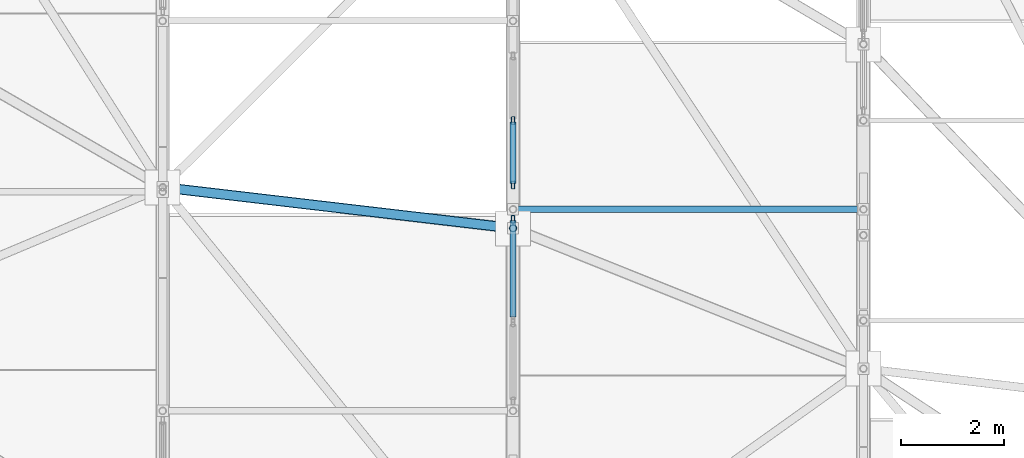
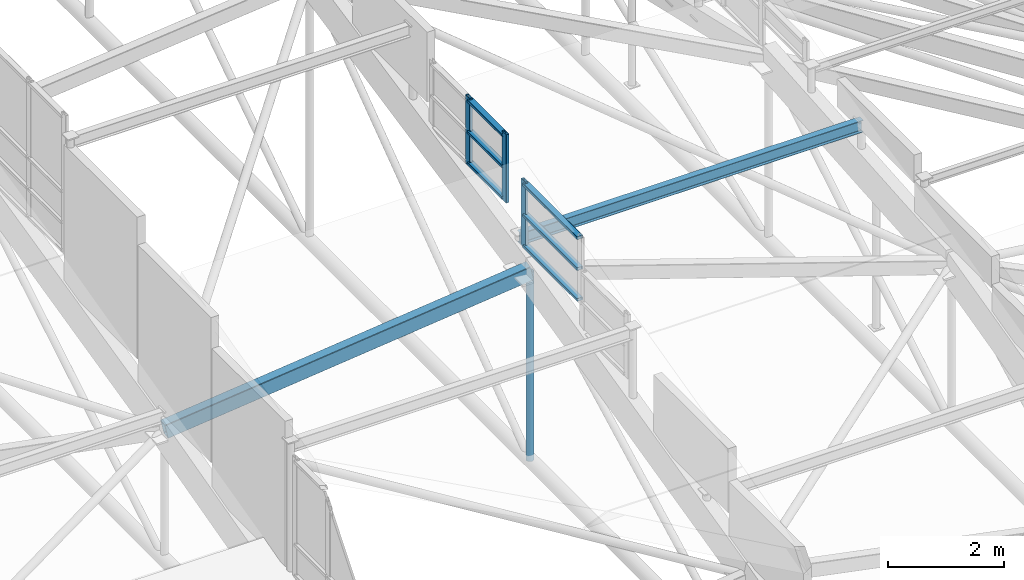
# One storey, part 17 of 188: 12 members, 2 elements without a shape of their own.
"""IFC4 building model written with IfcOpenShell, lengths in metres."""

from ifc_helpers import new_model, si_unit, direction, frame, origin, origin_2d, place, context, subcontext, project, spatial, hollow_rectangle, hollow_circle, i_section, extrude, material, layer, layer_set, material_profile, profile_set, type_object, element, aggregate, save


model = new_model("IFC4")

# Units and contexts
model_context = context("Model", 3, precision=1e-05, world=origin(), true_north=direction((0.0, 1.0)))
body_context = subcontext(model_context, "Body", "Model", "MODEL_VIEW")
ifc_project = project(units=[si_unit("LENGTHUNIT", "METRE"), si_unit("AREAUNIT", "SQUARE_METRE"), si_unit("VOLUMEUNIT", "CUBIC_METRE"), si_unit("PLANEANGLEUNIT", "RADIAN"), si_unit("MASSUNIT", "GRAM", prefix="KILO")], contexts=[model_context])

# Site, building, storey
site_placement = place(None, origin())
site = spatial("IfcSite", under=ifc_project, at=site_placement, CompositionType="ELEMENT")
building_placement = place(site_placement, origin())
building = spatial("IfcBuilding", under=site, at=building_placement, Name="Kisaragi Civic Commons", CompositionType="ELEMENT")
storey_placement = place(building_placement, frame((0.0, 0.0, 9.60009765625)))
storey = spatial("IfcBuildingStorey", under=building, at=storey_placement, Name="L02", CompositionType="ELEMENT", Elevation=9.60009765625)

# Curtain wall, member
ifc_material_1 = material(Name="Thermally broken anodized aluminium and low-E double glazing", Category="aluminium")
ifc_layer = layer(ifc_material_1, 0.14990234375, Name="Thermally broken anodized aluminium and low-E double glazing", Category="aluminium")
ifc_layer_set = layer_set([ifc_layer], Name="Thermally broken anodized aluminium and low-E double glazing")
curtain_wall_type = type_object("IfcCurtainWallType", Name="CW-03", PredefinedType="NOTDEFINED", material=ifc_layer_set)
curtain_wall_1_placement = place(storey_placement, origin())
curtain_wall_1 = element("IfcCurtainWall", 1, at=curtain_wall_1_placement, inside=storey, type_object=curtain_wall_type, Name="L02 curtain wall CW-03 CW-CL-V1-156", PredefinedType="NOTDEFINED")
ifc_material_profile_1 = material_profile(ifc_material_1, hollow_rectangle(XDim=0.06005859375, YDim=0.14990234375, WallThickness=0.00390625, InnerFilletRadius=0.00390625, OuterFilletRadius=0.008056640625, at=origin_2d()), Name="CWM-60x150x4", Category="aluminium")
ifc_profile_set_1 = profile_set([ifc_material_profile_1], Name="Thermally broken anodized aluminium and low-E double glazing")
member_type_1 = type_object("IfcMemberType", Name="CWM-01", PredefinedType="MULLION", material=ifc_profile_set_1)
member_1_placement = place(storey_placement, frame((20.39990234375, 17.112060546875, 3.848388671875), z_axis=(0.0, 0.0, 1.0), x_axis=(-1.0, 0.0, 0.0)))
member_1 = element("IfcMember", 2, at=member_1_placement, type_object=member_type_1, Name="CW-03 mullion 2", PredefinedType="MULLION", context=body_context, shape_type="SweptSolid", body=[
    extrude(hollow_rectangle(XDim=0.06005859375, YDim=0.14990234375, WallThickness=0.00390625, InnerFilletRadius=0.00390625, OuterFilletRadius=0.008056640625, at=origin_2d()), origin(), (0.0, 0.0, 1.0), 1.41455078125),
])

# Curtain wall, members
curtain_wall_2_placement = place(storey_placement, origin())
curtain_wall_2 = element("IfcCurtainWall", 3, at=curtain_wall_2_placement, inside=storey, type_object=curtain_wall_type, Name="L02 curtain wall CW-03 CW-CL-V1-157", PredefinedType="NOTDEFINED")
member_2_placement = place(storey_placement, frame((20.39990234375, 17.774169921875, 4.422607421875), z_axis=(0.0, 0.0, 1.0), x_axis=(-1.0, 0.0, 0.0)))
member_2 = element("IfcMember", 4, at=member_2_placement, type_object=member_type_1, Name="CW-03 mullion 1", PredefinedType="MULLION", context=body_context, shape_type="SweptSolid", body=[
    extrude(hollow_rectangle(XDim=0.06005859375, YDim=0.14990234375, WallThickness=0.00390625, InnerFilletRadius=0.00390625, OuterFilletRadius=0.008056640625, at=origin_2d()), origin(), (0.0, 0.0, 1.0), 1.43505859375),
])
member_3_placement = place(storey_placement, frame((20.39990234375, 19.02734375, 4.422607421875), z_axis=(0.0, 0.0, 1.0), x_axis=(-1.0, 0.0, 0.0)))
member_3 = element("IfcMember", 5, at=member_3_placement, type_object=member_type_1, Name="CW-03 mullion 2", PredefinedType="MULLION", context=body_context, shape_type="SweptSolid", body=[
    extrude(hollow_rectangle(XDim=0.06005859375, YDim=0.14990234375, WallThickness=0.00390625, InnerFilletRadius=0.00390625, OuterFilletRadius=0.008056640625, at=origin_2d()), origin(), (0.0, 0.0, 1.0), 1.43505859375),
])

# Member
ifc_material_profile_2 = material_profile(ifc_material_1, hollow_rectangle(XDim=0.1201171875, YDim=0.06005859375, WallThickness=0.00390625, InnerFilletRadius=0.00390625, OuterFilletRadius=0.008056640625, at=origin_2d()), Name="CWT-60x120x4", Category="aluminium")
ifc_profile_set_2 = profile_set([ifc_material_profile_2], Name="Thermally broken anodized aluminium and low-E double glazing")
member_type_2 = type_object("IfcMemberType", Name="CWT-01", PredefinedType="USERDEFINED", material=ifc_profile_set_2)
member_4_placement = place(storey_placement, frame((20.39990234375, 15.213623046875, 3.908203125), z_axis=(0.0, 1.0, 0.0), x_axis=(-1.0, 0.0, 0.0)))
member_4 = element("IfcMember", 6, at=member_4_placement, type_object=member_type_2, Name="CW-03 transom 1.1", ObjectType="TRANSOM", PredefinedType="USERDEFINED", context=body_context, shape_type="SweptSolid", body=[
    extrude(hollow_rectangle(XDim=0.1201171875, YDim=0.06005859375, WallThickness=0.00390625, InnerFilletRadius=0.00390625, OuterFilletRadius=0.008056640625, at=origin_2d()), origin(), (0.0, 0.0, 1.0), 1.868408203125),
])

member_5_placement = place(storey_placement, frame((20.39990234375, 15.213623046875, 4.5556640625), z_axis=(0.0, 1.0, 0.0), x_axis=(-1.0, 0.0, 0.0)))
member_5 = element("IfcMember", 7, at=member_5_placement, type_object=member_type_2, Name="CW-03 transom 1.2", ObjectType="TRANSOM", PredefinedType="USERDEFINED", context=body_context, shape_type="SweptSolid", body=[
    extrude(hollow_rectangle(XDim=0.1201171875, YDim=0.06005859375, WallThickness=0.00390625, InnerFilletRadius=0.00390625, OuterFilletRadius=0.008056640625, at=origin_2d()), origin(), (0.0, 0.0, 1.0), 1.868408203125),
])

member_6_placement = place(storey_placement, frame((20.39990234375, 15.213623046875, 5.202880859375), z_axis=(0.0, 1.0, 0.0), x_axis=(-1.0, 0.0, 0.0)))
member_6 = element("IfcMember", 8, at=member_6_placement, type_object=member_type_2, Name="CW-03 transom 1.3", ObjectType="TRANSOM", PredefinedType="USERDEFINED", context=body_context, shape_type="SweptSolid", body=[
    extrude(hollow_rectangle(XDim=0.1201171875, YDim=0.06005859375, WallThickness=0.00390625, InnerFilletRadius=0.00390625, OuterFilletRadius=0.008056640625, at=origin_2d()), origin(), (0.0, 0.0, 1.0), 1.868408203125),
])

aggregate(curtain_wall_1, [member_1, member_4, member_5, member_6])

member_7_placement = place(storey_placement, frame((20.39990234375, 17.80419921875, 4.482666015625), z_axis=(0.0, 1.0, 0.0), x_axis=(-1.0, 0.0, 0.0)))
member_7 = element("IfcMember", 9, at=member_7_placement, type_object=member_type_2, Name="CW-03 transom 1.1", ObjectType="TRANSOM", PredefinedType="USERDEFINED", context=body_context, shape_type="SweptSolid", body=[
    extrude(hollow_rectangle(XDim=0.1201171875, YDim=0.06005859375, WallThickness=0.00390625, InnerFilletRadius=0.00390625, OuterFilletRadius=0.008056640625, at=origin_2d()), origin(), (0.0, 0.0, 1.0), 1.193115234375),
])

member_8_placement = place(storey_placement, frame((20.39990234375, 17.80419921875, 5.14013671875), z_axis=(0.0, 1.0, 0.0), x_axis=(-1.0, 0.0, 0.0)))
member_8 = element("IfcMember", 10, at=member_8_placement, type_object=member_type_2, Name="CW-03 transom 1.2", ObjectType="TRANSOM", PredefinedType="USERDEFINED", context=body_context, shape_type="SweptSolid", body=[
    extrude(hollow_rectangle(XDim=0.1201171875, YDim=0.06005859375, WallThickness=0.00390625, InnerFilletRadius=0.00390625, OuterFilletRadius=0.008056640625, at=origin_2d()), origin(), (0.0, 0.0, 1.0), 1.193115234375),
])

member_9_placement = place(storey_placement, frame((20.39990234375, 17.80419921875, 5.797607421875), z_axis=(0.0, 1.0, 0.0), x_axis=(-1.0, 0.0, 0.0)))
member_9 = element("IfcMember", 11, at=member_9_placement, type_object=member_type_2, Name="CW-03 transom 1.3", ObjectType="TRANSOM", PredefinedType="USERDEFINED", context=body_context, shape_type="SweptSolid", body=[
    extrude(hollow_rectangle(XDim=0.1201171875, YDim=0.06005859375, WallThickness=0.00390625, InnerFilletRadius=0.00390625, OuterFilletRadius=0.008056640625, at=origin_2d()), origin(), (0.0, 0.0, 1.0), 1.193115234375),
])

aggregate(curtain_wall_2, [member_2, member_3, member_7, member_8, member_9])

# Members
ifc_material_2 = material(Name="Steel SN490 (SN490B)", Category="steel")
ifc_material_profile_3 = material_profile(ifc_material_2, hollow_rectangle(XDim=0.199951171875, YDim=0.300048828125, WallThickness=0.009033203125, InnerFilletRadius=0.009033203125, OuterFilletRadius=0.01806640625, at=origin_2d()), Name="STKR-300x200x9", Category="steel")
ifc_profile_set_3 = profile_set([ifc_material_profile_3], Name="Steel SN490 (SN490B)")
member_type_3 = type_object("IfcMemberType", Name="GC-02", PredefinedType="CHORD", material=ifc_profile_set_3)
member_10_placement = place(storey_placement, frame((13.60009765625, 17.73046875, 2.0341796875), z_axis=(0.972233155873, -0.113727402766, 0.204520826521), x_axis=(0.116183259795, 0.993227793682, 0.0)))
element("IfcMember", 12, at=member_10_placement, inside=storey, type_object=member_type_3, Name="V1 wave gridshell chord GC-02 16", PredefinedType="CHORD", context=body_context, shape_type="SweptSolid", body=[
    extrude(hollow_rectangle(XDim=0.199951171875, YDim=0.300048828125, WallThickness=0.009033203125, InnerFilletRadius=0.009033203125, OuterFilletRadius=0.01806640625, at=origin_2d()), origin(), (0.0, 0.0, 1.0), 6.993896484375),
])
ifc_material_3 = material(Name="Steel SN400 (SN400B)", Category="steel")
ifc_material_profile_4 = material_profile(ifc_material_3, i_section(OverallWidth=0.125, OverallDepth=0.25, WebThickness=0.006103515625, FlangeThickness=0.009033203125, FilletRadius=0.008056640625, at=origin_2d()), Name="H-250x125x6x9", Category="steel")
ifc_profile_set_4 = profile_set([ifc_material_profile_4], Name="Steel SN400 (SN400B)")
member_type_4 = type_object("IfcMemberType", Name="PR-01", PredefinedType="PURLIN", material=ifc_profile_set_4)
member_11_placement = place(storey_placement, frame((20.39990234375, 17.302001953125, 3.93212890625), z_axis=(1.0, 0.0, 0.0), x_axis=(0.0, 1.0, 0.0)))
element("IfcMember", 13, at=member_11_placement, inside=storey, type_object=member_type_4, Name="V1 wave vault steel purlin 27", PredefinedType="PURLIN", context=body_context, shape_type="SweptSolid", body=[
    extrude(i_section(OverallWidth=0.125, OverallDepth=0.25, WebThickness=0.006103515625, FlangeThickness=0.009033203125, FilletRadius=0.008056640625, at=origin_2d()), origin(), (0.0, 0.0, 1.0), 6.800048828125),
])
ifc_material_profile_5 = material_profile(ifc_material_2, hollow_circle(Radius=0.06982421875, WallThickness=0.006103515625, at=origin_2d()), Name="CHS-139.8x6.0", Category="steel")
ifc_profile_set_5 = profile_set([ifc_material_profile_5], Name="Steel SN490 (SN490B)")
member_type_5 = type_object("IfcMemberType", Name="ST-H1", PredefinedType="STRUT", material=ifc_profile_set_5)
member_12_placement = place(storey_placement, frame((20.39990234375, 16.93505859375, -0.49951171875), z_axis=(0.0, 0.0, 1.0), x_axis=(1.0, 0.0, 0.0)))
element("IfcMember", 14, at=member_12_placement, inside=storey, type_object=member_type_5, Name="V1 arch tie hanger strut 45", PredefinedType="STRUT", context=body_context, shape_type="SweptSolid", body=[
    extrude(hollow_circle(Radius=0.06982421875, WallThickness=0.006103515625, at=origin_2d()), origin(), (0.0, 0.0, 1.0), 3.964111328125),
])

save(model, "model.ifc")
